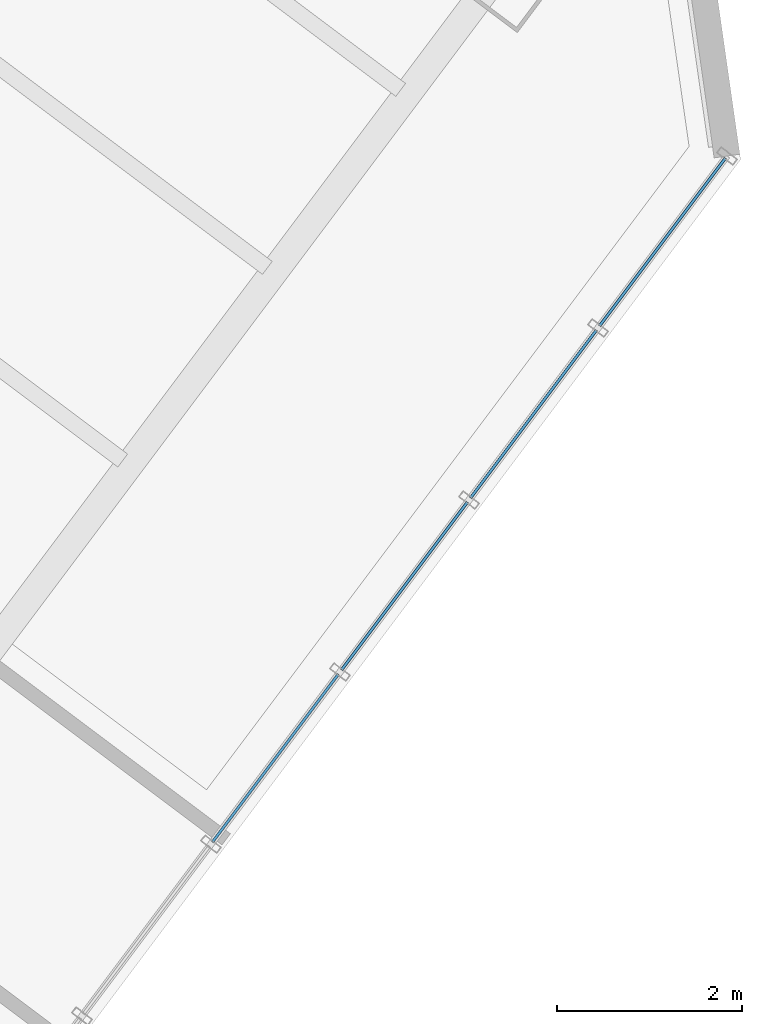
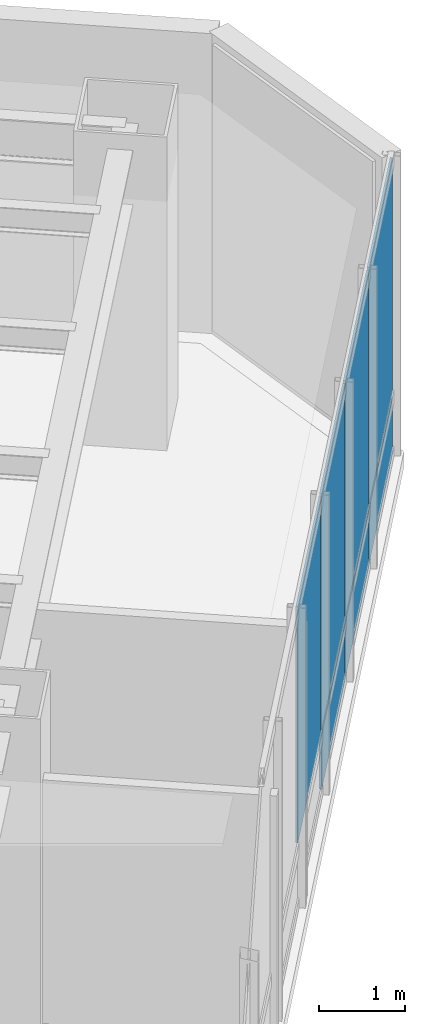
# One storey, part 19 of 29: 7 plates, 1 element without a shape of its own.
"""IFC4 building model written with IfcOpenShell, lengths in metres."""

import ifcopenshell
import ifcopenshell.guid

model = None  # the IFC model being written
_history = None  # IfcOwnerHistory: only IFC2X3 demands one
_inside = {}  # id of a spatial element -> (the spatial element, [elements in it])
_under = {}  # id of a project, library or spatial element -> (it, [spatial elements below it])
_declared = {}  # id of a project -> (the project, [libraries it declares])
_typed = {}  # id of a type object -> (the type object, [elements of that type])
_made_of = {}  # id of a material, layer set ... -> (it, [elements and type objects made of it])


def new_model(schema):
    """Start an empty IFC model of exactly this schema.

    Asked for "IFC4X3", IfcOpenShell would pick the latest addendum, in which some entities
    have other attributes; the version numbers below select the first issue.
    IFC2X3 requires an IfcOwnerHistory on every rooted entity: one is made here for all.
    """
    global model, _history
    if schema == "IFC4X3":
        model = ifcopenshell.file(schema_version=(4, 3, 0, 0))
    else:
        model = ifcopenshell.file(schema=schema)
    _inside.clear()
    _under.clear()
    _declared.clear()
    _typed.clear()
    _made_of.clear()
    _history = None
    if model.schema == "IFC2X3":
        org = make("IfcOrganization", Name="unknown")
        user = make(
            "IfcPersonAndOrganization",
            ThePerson=make("IfcPerson", FamilyName="unknown"),
            TheOrganization=org,
        )
        app = make(
            "IfcApplication",
            ApplicationDeveloper=org,
            Version="unknown",
            ApplicationFullName="unknown",
            ApplicationIdentifier="unknown",
        )
        _history = make(
            "IfcOwnerHistory",
            OwningUser=user,
            OwningApplication=app,
            ChangeAction="ADDED",
            CreationDate=0,
        )
    return model


def make(cls, **values):
    """One entity of the class cls with the attributes given. An attribute that is None is left unset."""
    return model.create_entity(
        cls, **{name: value for name, value in values.items() if value is not None}
    )


def rooted(cls, **values):
    """An entity with a GlobalId (a new one), such as an element, a storey or a relation."""
    return make(cls, GlobalId=ifcopenshell.guid.new(), OwnerHistory=_history, **values)


def si_unit(unit_type, name, prefix=None):
    """IfcSIUnit, for example si_unit("LENGTHUNIT", "METRE", prefix="MILLI")."""
    return make("IfcSIUnit", UnitType=unit_type, Prefix=prefix, Name=name)


def assignment(units):
    """IfcUnitAssignment: the units of a project."""
    return None if units is None else make("IfcUnitAssignment", Units=units)


def point(xyz):
    """IfcCartesianPoint."""
    return None if xyz is None else make("IfcCartesianPoint", Coordinates=xyz)


def direction(xyz):
    """IfcDirection."""
    return None if xyz is None else make("IfcDirection", DirectionRatios=xyz)


def frame(location, z_axis=None, x_axis=None):
    """IfcAxis2Placement3D, a coordinate frame: its origin and axes. An axis left out is left unset."""
    return make(
        "IfcAxis2Placement3D",
        Location=point(location),
        Axis=direction(z_axis),
        RefDirection=direction(x_axis),
    )


def frame_2d(location, x_axis=None):
    """IfcAxis2Placement2D, a coordinate frame in the plane: its origin and x axis."""
    return make(
        "IfcAxis2Placement2D", Location=point(location), RefDirection=direction(x_axis)
    )


def origin():
    """The frame at (0, 0, 0) with its axes left unset."""
    return frame((0.0, 0.0, 0.0))


def origin_2d():
    """The frame at (0, 0) in the plane with its x axis left unset."""
    return frame_2d((0.0, 0.0))


def place(relative_to, where):
    """IfcLocalPlacement: puts the frame where relative to a parent placement (None: the world)."""
    return make(
        "IfcLocalPlacement", PlacementRelTo=relative_to, RelativePlacement=where
    )


def context(
    kind, dimensions, precision=None, world=None, true_north=None, identifier=None
):
    """IfcGeometricRepresentationContext, for example the 3D "Model" context."""
    return make(
        "IfcGeometricRepresentationContext",
        ContextIdentifier=identifier,
        ContextType=kind,
        CoordinateSpaceDimension=dimensions,
        Precision=precision,
        WorldCoordinateSystem=world,
        TrueNorth=true_north,
    )


def subcontext(parent, identifier, kind, view, scale=None):
    """IfcGeometricRepresentationSubContext, for example "Body" below "Model"."""
    return make(
        "IfcGeometricRepresentationSubContext",
        ContextIdentifier=identifier,
        ContextType=kind,
        ParentContext=parent,
        TargetScale=scale,
        TargetView=view,
    )


def project(units=None, contexts=None):
    """IfcProject with its units and contexts."""
    return rooted(
        "IfcProject",
        Name="project",
        RepresentationContexts=contexts,
        UnitsInContext=assignment(units),
    )


def spatial(cls, under=None, at=None, **own):
    """A site, building, storey or space (cls), placed at a placement, below another one or the project."""
    s = rooted(cls, ObjectPlacement=at, **own)
    if under is not None:
        _under.setdefault(under.id(), (under, []))[1].append(s)
    return s


def profile(cls, at=None, kind="AREA", **sizes):
    """A parametric profile (cls). Its sizes go by their IFC names, for example OverallWidth=200.0."""
    return make(cls, ProfileType=kind, Position=at, **sizes)


def rectangle(**sizes):
    """IfcRectangleProfileDef."""
    return profile("IfcRectangleProfileDef", **sizes)


def extrude(swept, where, along, depth):
    """IfcExtrudedAreaSolid: the profile swept, set in the frame where, extruded along a direction by depth."""
    return make(
        "IfcExtrudedAreaSolid",
        SweptArea=swept,
        Position=where,
        ExtrudedDirection=direction(along),
        Depth=depth,
    )


def shape(context_of_items, identifier, shape_type, items):
    """IfcShapeRepresentation: the items that make up one representation, for example the "Body"."""
    return make(
        "IfcShapeRepresentation",
        ContextOfItems=context_of_items,
        RepresentationIdentifier=identifier,
        RepresentationType=shape_type,
        Items=items,
    )


def material(Name=None, Category=None):
    """IfcMaterial."""
    return make("IfcMaterial", Name=Name, Category=Category)


def layer(
    of_material, thickness, ventilated=None, Name=None, Category=None, Priority=None
):
    """IfcMaterialLayer: one layer of a wall or slab, of a material (None: an air gap)."""
    return make(
        "IfcMaterialLayer",
        Material=of_material,
        LayerThickness=thickness,
        IsVentilated=ventilated,
        Name=Name,
        Category=Category,
        Priority=Priority,
    )


def layer_set(layers, Name=None):
    """IfcMaterialLayerSet."""
    return make("IfcMaterialLayerSet", MaterialLayers=layers, LayerSetName=Name)


def made_of(thing, what):
    """Note that an element or type object is made of a material, layer set ...; save() writes the relation."""
    if what is not None:
        _made_of.setdefault(what.id(), (what, []))[1].append(thing)
    return thing


def type_object(cls, material=None, **own):
    """A type object (cls), such as IfcWallType, which elements share."""
    return made_of(rooted(cls, **own), material)


def element(
    cls,
    number,
    at=None,
    inside=None,
    cuts=None,
    type_object=None,
    material=None,
    context=None,
    identifier="Body",
    shape_type=None,
    held_by="IfcProductDefinitionShape",
    body=None,
    shapes=None,
    **own,
):
    """One element of the class cls, such as IfcWall. Its Tag is "e" and its number.

    at: its placement. inside: the storey or other place that contains it. cuts: it is an
    opening in that element (IfcRelVoidsElement). A single representation is given by context,
    identifier, shape_type and body (its items); several are given by shapes. held_by: the class
    of the entity that holds the representations. save() writes the other relations.
    """
    e = rooted(cls, Tag="e%d" % number, ObjectPlacement=at, **own)
    if body is not None:
        shapes = [shape(context, identifier, shape_type, body)]
    if shapes is not None:
        e.Representation = make(held_by, Representations=shapes)
    if inside is not None:
        _inside.setdefault(inside.id(), (inside, []))[1].append(e)
    if cuts is not None:
        rooted(
            "IfcRelVoidsElement", RelatingBuildingElement=cuts, RelatedOpeningElement=e
        )
    if type_object is not None:
        _typed.setdefault(type_object.id(), (type_object, []))[1].append(e)
    return made_of(e, material)


def aggregate(whole, parts):
    """IfcRelAggregates: a whole, such as a stair, and the parts it consists of."""
    return rooted("IfcRelAggregates", RelatingObject=whole, RelatedObjects=parts)


def save(model, path):
    """Write the relations noted so far, then the file.

    IfcRelAggregates (storeys below a building ...), IfcRelContainedInSpatialStructure (elements
    in a storey), IfcRelDefinesByType, IfcRelAssociatesMaterial and IfcRelDeclares: one each for
    every whole, place, type object, material and project.
    """
    for whole, parts in _under.values():
        aggregate(whole, parts)
    for where, things in _inside.values():
        rooted(
            "IfcRelContainedInSpatialStructure",
            RelatedElements=things,
            RelatingStructure=where,
        )
    for kind, things in _typed.values():
        rooted("IfcRelDefinesByType", RelatedObjects=things, RelatingType=kind)
    for what, things in _made_of.values():
        rooted("IfcRelAssociatesMaterial", RelatedObjects=things, RelatingMaterial=what)
    for by, libraries in _declared.values():
        rooted("IfcRelDeclares", RelatingContext=by, RelatedDefinitions=libraries)
    model.write(path)


model = new_model("IFC4")

# Units and contexts
model_context = context("Model", 3, precision=1e-05, world=origin(), true_north=direction((0.0, 1.0)))
body_context = subcontext(model_context, "Body", "Model", "MODEL_VIEW")
ifc_project = project(units=[si_unit("LENGTHUNIT", "METRE"), si_unit("AREAUNIT", "SQUARE_METRE"), si_unit("VOLUMEUNIT", "CUBIC_METRE"), si_unit("PLANEANGLEUNIT", "RADIAN"), si_unit("MASSUNIT", "GRAM", prefix="KILO")], contexts=[model_context])

# Site, building, storey
site_placement = place(None, origin())
site = spatial("IfcSite", under=ifc_project, at=site_placement, CompositionType="ELEMENT")
building_placement = place(site_placement, origin())
building = spatial("IfcBuilding", under=site, at=building_placement, Name="Hatsunagi Terrace Concourse", CompositionType="ELEMENT")
storey_placement = place(building_placement, frame((0.0, 0.0, 32.10009765625)))
storey = spatial("IfcBuildingStorey", under=building, at=storey_placement, Name="L07", CompositionType="ELEMENT", Elevation=32.10009765625)

# Curtain wall, plates
ifc_material_1 = material(Name="Anodised Aluminium Alloy 6063-T5", Category="aluminium")
ifc_layer_1 = layer(ifc_material_1, 0.199951171875)
ifc_layer_set_1 = layer_set([ifc_layer_1], Name="SkyLobbyAtrium_CW05")
curtain_wall_type = type_object("IfcCurtainWallType", Name="SkyLobbyAtrium_CW05", PredefinedType="NOTDEFINED", material=ifc_layer_set_1)
curtain_wall_placement = place(storey_placement, origin())
curtain_wall = element("IfcCurtainWall", 1, at=curtain_wall_placement, inside=storey, type_object=curtain_wall_type, Name="Unitised Curtain Wall CW-05 CW-L07-03", PredefinedType="NOTDEFINED")
ifc_material_2 = material(Name="Warm Terracotta Ceramic Spandrel Panel", Category="masonry")
ifc_layer_2 = layer(ifc_material_2, 0.031982421875)
ifc_layer_set_2 = layer_set([ifc_layer_2], Name="CurtainWallSpandrelPanel_32")
plate_type_1 = type_object("IfcPlateType", Name="CurtainWallSpandrelPanel_32", PredefinedType="SHEET", material=ifc_layer_set_2)
plate_1_placement = place(storey_placement, frame((68.39697265625, 18.72998046875, 0.02978515625), z_axis=(0.0, 0.0, 1.0), x_axis=(-0.599969314634, -0.800023013105, 0.0)))
plate_1 = element("IfcPlate", 2, at=plate_1_placement, type_object=plate_type_1, Name="Terracotta Spandrel Panel SPN-01", PredefinedType="SHEET", context=body_context, shape_type="SweptSolid", body=[
    extrude(rectangle(XDim=2.264892578125, YDim=0.031982421875, at=origin_2d()), origin(), (0.0, 0.0, 1.0), 0.7900390625),
])
plate_2_placement = place(storey_placement, frame((67.0048828125, 16.873046875, 0.02978515625), z_axis=(0.0, 0.0, 1.0), x_axis=(-0.599969314634, -0.800023013105, 0.0)))
plate_2 = element("IfcPlate", 3, at=plate_2_placement, type_object=plate_type_1, Name="Terracotta Spandrel Panel SPN-01", PredefinedType="SHEET", context=body_context, shape_type="SweptSolid", body=[
    extrude(rectangle(XDim=2.264892578125, YDim=0.031982421875, at=origin_2d()), origin(), (0.0, 0.0, 1.0), 0.7900390625),
])
plate_3_placement = place(storey_placement, frame((65.612060546875, 15.01708984375, 0.02978515625), z_axis=(0.0, 0.0, 1.0), x_axis=(-0.599969314634, -0.800023013105, 0.0)))
plate_3 = element("IfcPlate", 4, at=plate_3_placement, type_object=plate_type_1, Name="Terracotta Spandrel Panel SPN-01", PredefinedType="SHEET", context=body_context, shape_type="SweptSolid", body=[
    extrude(rectangle(XDim=2.264892578125, YDim=0.031982421875, at=origin_2d()), origin(), (0.0, 0.0, 1.0), 0.7900390625),
])
ifc_material_3 = material(Name="Low-E Double Insulating Glass 28mm", Category="glass")
ifc_layer_3 = layer(ifc_material_3, 0.028076171875)
ifc_layer_set_3 = layer_set([ifc_layer_3], Name="CurtainWallVisionGlass_28")
plate_type_2 = type_object("IfcPlateType", Name="CurtainWallVisionGlass_28", PredefinedType="CURTAIN_PANEL", material=ifc_layer_set_3)
plate_4_placement = place(storey_placement, frame((68.39697265625, 18.72998046875, 0.8798828125), z_axis=(0.0, 0.0, 1.0), x_axis=(-0.599969314634, -0.800023013105, 0.0)))
plate_4 = element("IfcPlate", 5, at=plate_4_placement, type_object=plate_type_2, Name="Low-E Vision Glass Panel GLZ-01", PredefinedType="CURTAIN_PANEL", context=body_context, shape_type="SweptSolid", body=[
    extrude(rectangle(XDim=2.264892578125, YDim=0.028076171875, at=origin_2d()), origin(), (0.0, 0.0, 1.0), 3.3701171875),
])
plate_5_placement = place(storey_placement, frame((67.0048828125, 16.873046875, 0.8798828125), z_axis=(0.0, 0.0, 1.0), x_axis=(-0.599969314634, -0.800023013105, 0.0)))
plate_5 = element("IfcPlate", 6, at=plate_5_placement, type_object=plate_type_2, Name="Low-E Vision Glass Panel GLZ-01", PredefinedType="CURTAIN_PANEL", context=body_context, shape_type="SweptSolid", body=[
    extrude(rectangle(XDim=2.264892578125, YDim=0.028076171875, at=origin_2d()), origin(), (0.0, 0.0, 1.0), 3.3701171875),
])
plate_6_placement = place(storey_placement, frame((65.612060546875, 15.01708984375, 0.8798828125), z_axis=(0.0, 0.0, 1.0), x_axis=(-0.599969314634, -0.800023013105, 0.0)))
plate_6 = element("IfcPlate", 7, at=plate_6_placement, type_object=plate_type_2, Name="Low-E Vision Glass Panel GLZ-01", PredefinedType="CURTAIN_PANEL", context=body_context, shape_type="SweptSolid", body=[
    extrude(rectangle(XDim=2.264892578125, YDim=0.028076171875, at=origin_2d()), origin(), (0.0, 0.0, 1.0), 3.3701171875),
])
plate_7_placement = place(storey_placement, frame((64.219970703125, 13.159912109375, 0.8798828125), z_axis=(0.0, 0.0, 1.0), x_axis=(-0.599969314634, -0.800023013105, 0.0)))
plate_7 = element("IfcPlate", 8, at=plate_7_placement, type_object=plate_type_2, Name="Low-E Vision Glass Panel GLZ-01", PredefinedType="CURTAIN_PANEL", context=body_context, shape_type="SweptSolid", body=[
    extrude(rectangle(XDim=2.264892578125, YDim=0.028076171875, at=origin_2d()), origin(), (0.0, 0.0, 1.0), 3.3701171875),
])
aggregate(curtain_wall, [plate_1, plate_4, plate_2, plate_5, plate_3, plate_6, plate_7])

save(model, "model.ifc")
